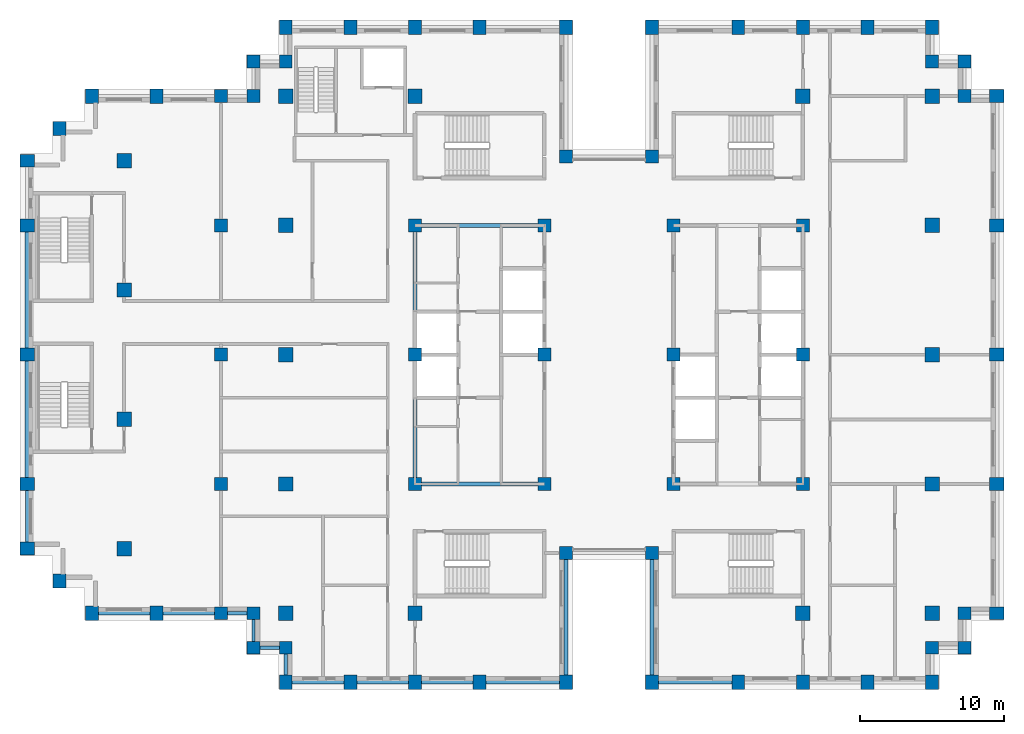
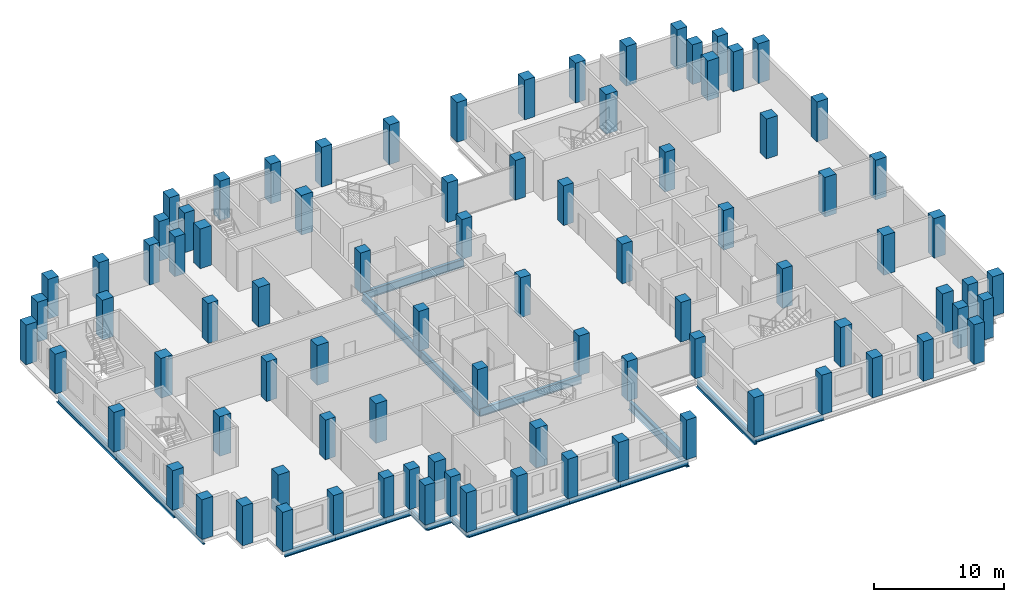
# One storey, part 1 of 15: 87 columns, 20 beams.
"""IFC4 building model written with IfcOpenShell, lengths in metres."""

from ifc_helpers import new_model, si_unit, direction, frame, origin, origin_2d, place, context, subcontext, project, spatial, rectangle, i_section, extrude, material, material_profile, profile_set, type_object, element, save


model = new_model("IFC4")

# Units and contexts
model_context = context("Model", 3, precision=1e-05, world=origin(), true_north=direction((0.0, 1.0)))
body_context = subcontext(model_context, "Body", "Model", "MODEL_VIEW")
ifc_project = project(units=[si_unit("LENGTHUNIT", "METRE"), si_unit("AREAUNIT", "SQUARE_METRE"), si_unit("VOLUMEUNIT", "CUBIC_METRE"), si_unit("PLANEANGLEUNIT", "RADIAN"), si_unit("MASSUNIT", "GRAM", prefix="KILO")], contexts=[model_context])

# Site, building, storey
site_placement = place(None, origin())
site = spatial("IfcSite", under=ifc_project, at=site_placement, CompositionType="ELEMENT")
building_placement = place(site_placement, origin())
building = spatial("IfcBuilding", under=site, at=building_placement, Name="Corbelhall Arena Tower", CompositionType="ELEMENT")
storey_placement = place(building_placement, frame((0.0, 0.0, 212.0)))
storey = spatial("IfcBuildingStorey", under=building, at=storey_placement, Name="L44", CompositionType="ELEMENT", Elevation=212.0)

# Columns
ifc_material_1 = material(Name="Concrete C80/95", Category="concrete")
ifc_material_profile_1 = material_profile(ifc_material_1, rectangle(XDim=1.0, YDim=1.0, at=origin_2d()))
ifc_profile_set_1 = profile_set([ifc_material_profile_1], Name="Concrete C80/95")
column_type_1 = type_object("IfcColumnType", Name="ST-COL-RC 1000x1000", PredefinedType="COLUMN", material=ifc_profile_set_1)
for number, where, z_axis, x_axis, name in (
    (1, (-33.75, 4.5, 0.0), (0.0, 0.0, 1.0), (1.0, 0.0, 0.0), "Column FIC+0450"),
    (2, (-33.75, 13.5, 0.0), (0.0, 0.0, 1.0), (1.0, 0.0, 0.0), "Column FIC+1350"),
    (3, (-33.75, -4.5, 0.0), (0.0, 0.0, 1.0), (1.0, 0.0, 0.0), "Column FIC-0450"),
    (4, (-33.75, -13.5, 0.0), (0.0, 0.0, 1.0), (1.0, 0.0, 0.0), "Column FIC-1350"),
    (5, (13.5, 18.0, 0.0), (0.0, 0.0, 1.0), (1.0, 0.0, 0.0), "Column IE13+1800"),
    (6, (13.5, -18.0, 0.0), (0.0, 0.0, 1.0), (1.0, 0.0, 0.0), "Column IE13-1800"),
    (7, (22.5, 0.0, 0.0), (0.0, 0.0, 1.0), (1.0, 0.0, 0.0), "Column IE22+0000"),
    (8, (22.5, 9.0, 0.0), (0.0, 0.0, 1.0), (1.0, 0.0, 0.0), "Column IE22+0900"),
    (9, (22.5, 18.0, 0.0), (0.0, 0.0, 1.0), (1.0, 0.0, 0.0), "Column IE22+1800"),
    (10, (22.5, -9.0, 0.0), (0.0, 0.0, 1.0), (1.0, 0.0, 0.0), "Column IE22-0900"),
    (11, (22.5, -18.0, 0.0), (0.0, 0.0, 1.0), (1.0, 0.0, 0.0), "Column IE22-1800"),
    (12, (-13.5, 18.0, 0.0), (0.0, 0.0, 1.0), (1.0, 0.0, 0.0), "Column IW13+1800"),
    (13, (-13.5, -18.0, 0.0), (0.0, 0.0, 1.0), (1.0, 0.0, 0.0), "Column IW13-1800"),
    (14, (-22.5, 0.0, 0.0), (0.0, 0.0, 1.0), (1.0, 0.0, 0.0), "Column IW22+0000"),
    (15, (-22.5, 9.0, 0.0), (0.0, 0.0, 1.0), (1.0, 0.0, 0.0), "Column IW22+0900"),
    (16, (-22.5, 18.0, 0.0), (0.0, 0.0, 1.0), (1.0, 0.0, 0.0), "Column IW22+1800"),
    (17, (-22.5, -9.0, 0.0), (0.0, 0.0, 1.0), (1.0, 0.0, 0.0), "Column IW22-0900"),
    (18, (-22.5, -18.0, 0.0), (0.0, 0.0, 1.0), (1.0, 0.0, 0.0), "Column IW22-1800"),
):
    element("IfcColumn", number, at=place(storey_placement, frame(where, z_axis=z_axis, x_axis=x_axis)), inside=storey, type_object=column_type_1, Name=name, PredefinedType="COLUMN", context=body_context, shape_type="SweptSolid", body=[
        extrude(rectangle(XDim=1.0, YDim=1.0, at=origin_2d()), origin(), (0.0, 0.0, 1.0), 3.719970703125),
    ])
ifc_material_profile_2 = material_profile(ifc_material_1, rectangle(XDim=0.89990234375, YDim=1.0, at=origin_2d()))
ifc_profile_set_2 = profile_set([ifc_material_profile_2], Name="Concrete C80/95")
column_type_2 = type_object("IfcColumnType", Name="ST-COL-RC 900x1000", PredefinedType="COLUMN", material=ifc_profile_set_2)
for number, where, z_axis, x_axis, name in (
    (19, (-40.5, 0.0, 0.0), (0.0, 0.0, 1.0), (0.0, 1.0, 0.0), "Column FC+0000"),
    (20, (-40.5, 9.0, 0.0), (0.0, 0.0, 1.0), (0.0, 1.0, 0.0), "Column FC+0900"),
    (21, (-40.5, 13.5, 0.0), (0.0, 0.0, 1.0), (0.0, 1.0, 0.0), "Column FC+1350"),
    (22, (-40.5, -9.0, 0.0), (0.0, 0.0, 1.0), (0.0, 1.0, 0.0), "Column FC-0900"),
    (23, (-40.5, -13.5, 0.0), (0.0, 0.0, 1.0), (0.0, 1.0, 0.0), "Column FC-1350"),
    (24, (-38.25, 15.75, 0.0), (0.0, 0.0, 1.0), (1.0, 0.0, 0.0), "Column FCCN"),
    (25, (-38.25, -15.75, 0.0), (0.0, 0.0, 1.0), (1.0, 0.0, 0.0), "Column FCCS"),
    (26, (-31.5, 18.0, 0.0), (0.0, 0.0, 1.0), (1.0, 0.0, 0.0), "Column FCN3150"),
    (27, (-36.0, 18.0, 0.0), (0.0, 0.0, 1.0), (1.0, 0.0, 0.0), "Column FCN3600"),
    (28, (-31.5, -18.0, 0.0), (0.0, 0.0, 1.0), (1.0, 0.0, 0.0), "Column FCS3150"),
    (29, (-36.0, -18.0, 0.0), (0.0, 0.0, 1.0), (1.0, 0.0, 0.0), "Column FCS3600"),
    (30, (27.0, 0.0, 0.0), (0.0, 0.0, 1.0), (0.0, 1.0, 0.0), "Column PE+0000"),
    (31, (27.0, 9.0, 0.0), (0.0, 0.0, 1.0), (0.0, 1.0, 0.0), "Column PE+0900"),
    (32, (27.0, 18.0, 0.0), (0.0, 0.0, 1.0), (0.0, 1.0, 0.0), "Column PE+1800"),
    (33, (27.0, -9.0, 0.0), (0.0, 0.0, 1.0), (0.0, 1.0, 0.0), "Column PE-0900"),
    (34, (27.0, -18.0, 0.0), (0.0, 0.0, 1.0), (0.0, 1.0, 0.0), "Column PE-1800"),
    (35, (3.0, 22.800048828125, 0.0), (0.0, 0.0, 1.0), (1.0, 0.0, 0.0), "Column PNE0300"),
    (36, (9.0, 22.800048828125, 0.0), (0.0, 0.0, 1.0), (1.0, 0.0, 0.0), "Column PNE0900"),
    (37, (13.5, 22.800048828125, 0.0), (0.0, 0.0, 1.0), (1.0, 0.0, 0.0), "Column PNE1350"),
    (38, (18.0, 22.800048828125, 0.0), (0.0, 0.0, 1.0), (1.0, 0.0, 0.0), "Column PNE1800"),
    (39, (22.5, 22.800048828125, 0.0), (0.0, 0.0, 1.0), (1.0, 0.0, 0.0), "Column PNE2250"),
    (40, (-3.0, 22.800048828125, 0.0), (0.0, 0.0, 1.0), (1.0, 0.0, 0.0), "Column PNW0300"),
    (41, (-9.0, 22.800048828125, 0.0), (0.0, 0.0, 1.0), (1.0, 0.0, 0.0), "Column PNW0900"),
    (42, (-13.5, 22.800048828125, 0.0), (0.0, 0.0, 1.0), (1.0, 0.0, 0.0), "Column PNW1350"),
    (43, (-18.0, 22.800048828125, 0.0), (0.0, 0.0, 1.0), (1.0, 0.0, 0.0), "Column PNW1800"),
    (44, (-22.5, 22.800048828125, 0.0), (0.0, 0.0, 1.0), (1.0, 0.0, 0.0), "Column PNW2250"),
    (45, (3.0, -22.800048828125, 0.0), (0.0, 0.0, 1.0), (1.0, 0.0, 0.0), "Column PSE0300"),
    (46, (9.0, -22.800048828125, 0.0), (0.0, 0.0, 1.0), (1.0, 0.0, 0.0), "Column PSE0900"),
    (47, (13.5, -22.800048828125, 0.0), (0.0, 0.0, 1.0), (1.0, 0.0, 0.0), "Column PSE1350"),
    (48, (18.0, -22.800048828125, 0.0), (0.0, 0.0, 1.0), (1.0, 0.0, 0.0), "Column PSE1800"),
    (49, (22.5, -22.800048828125, 0.0), (0.0, 0.0, 1.0), (1.0, 0.0, 0.0), "Column PSE2250"),
    (50, (-3.0, -22.800048828125, 0.0), (0.0, 0.0, 1.0), (1.0, 0.0, 0.0), "Column PSW0300"),
    (51, (-9.0, -22.800048828125, 0.0), (0.0, 0.0, 1.0), (1.0, 0.0, 0.0), "Column PSW0900"),
    (52, (-13.5, -22.800048828125, 0.0), (0.0, 0.0, 1.0), (1.0, 0.0, 0.0), "Column PSW1350"),
    (53, (-18.0, -22.800048828125, 0.0), (0.0, 0.0, 1.0), (1.0, 0.0, 0.0), "Column PSW1800"),
    (54, (-22.5, -22.800048828125, 0.0), (0.0, 0.0, 1.0), (1.0, 0.0, 0.0), "Column PSW2250"),
):
    element("IfcColumn", number, at=place(storey_placement, frame(where, z_axis=z_axis, x_axis=x_axis)), inside=storey, type_object=column_type_2, Name=name, PredefinedType="COLUMN", context=body_context, shape_type="SweptSolid", body=[
        extrude(rectangle(XDim=0.89990234375, YDim=1.0, at=origin_2d()), origin(), (0.0, 0.0, 1.0), 3.719970703125),
    ])
ifc_material_profile_3 = material_profile(ifc_material_1, rectangle(XDim=0.89990234375, YDim=0.89990234375, at=origin_2d()))
ifc_profile_set_3 = profile_set([ifc_material_profile_3], Name="Concrete C80/95")
column_type_3 = type_object("IfcColumnType", Name="ST-COL-RC 900x900", PredefinedType="COLUMN", material=ifc_profile_set_3)
for number, where, z_axis, x_axis, name in (
    (55, (4.5, 0.0, 0.0), (0.0, 0.0, 1.0), (1.0, 0.0, 0.0), "Column KE+0450+0000"),
    (56, (4.5, 9.0, 0.0), (0.0, 0.0, 1.0), (1.0, 0.0, 0.0), "Column KE+0450+0900"),
    (57, (4.5, -9.0, 0.0), (0.0, 0.0, 1.0), (1.0, 0.0, 0.0), "Column KE+0450-0900"),
    (58, (13.5, 0.0, 0.0), (0.0, 0.0, 1.0), (1.0, 0.0, 0.0), "Column KE+1350+0000"),
    (59, (13.5, 9.0, 0.0), (0.0, 0.0, 1.0), (1.0, 0.0, 0.0), "Column KE+1350+0900"),
    (60, (13.5, -9.0, 0.0), (0.0, 0.0, 1.0), (1.0, 0.0, 0.0), "Column KE+1350-0900"),
    (61, (-4.5, 0.0, 0.0), (0.0, 0.0, 1.0), (1.0, 0.0, 0.0), "Column KW-0450+0000"),
    (62, (-4.5, 9.0, 0.0), (0.0, 0.0, 1.0), (1.0, 0.0, 0.0), "Column KW-0450+0900"),
    (63, (-4.5, -9.0, 0.0), (0.0, 0.0, 1.0), (1.0, 0.0, 0.0), "Column KW-0450-0900"),
    (64, (-13.5, 0.0, 0.0), (0.0, 0.0, 1.0), (1.0, 0.0, 0.0), "Column KW-1350+0000"),
    (65, (-13.5, 9.0, 0.0), (0.0, 0.0, 1.0), (1.0, 0.0, 0.0), "Column KW-1350+0900"),
    (66, (-13.5, -9.0, 0.0), (0.0, 0.0, 1.0), (1.0, 0.0, 0.0), "Column KW-1350-0900"),
    (67, (-27.0, 0.0, 0.0), (0.0, 0.0, 1.0), (1.0, 0.0, 0.0), "Column PW+0000"),
    (68, (-27.0, 9.0, 0.0), (0.0, 0.0, 1.0), (1.0, 0.0, 0.0), "Column PW+0900"),
    (69, (-27.0, 18.0, 0.0), (0.0, 0.0, 1.0), (1.0, 0.0, 0.0), "Column PW+1800"),
    (70, (-27.0, -9.0, 0.0), (0.0, 0.0, 1.0), (1.0, 0.0, 0.0), "Column PW-0900"),
    (71, (-27.0, -18.0, 0.0), (0.0, 0.0, 1.0), (1.0, 0.0, 0.0), "Column PW-1800"),
    (72, (3.0, 13.800048828125, 0.0), (0.0, 0.0, 1.0), (1.0, 0.0, 0.0), "Column SLNE2"),
    (73, (-3.0, 13.800048828125, 0.0), (0.0, 0.0, 1.0), (1.0, 0.0, 0.0), "Column SLNW2"),
    (74, (3.0, -13.800048828125, 0.0), (0.0, 0.0, 1.0), (1.0, 0.0, 0.0), "Column SLSE2"),
    (75, (-3.0, -13.800048828125, 0.0), (0.0, 0.0, 1.0), (1.0, 0.0, 0.0), "Column SLSW2"),
    (76, (22.5, 20.39990234375, 0.0), (0.0, 0.0, 1.0), (1.0, 0.0, 0.0), "Column XNE1"),
    (77, (24.75, 20.39990234375, 0.0), (0.0, 0.0, 1.0), (1.0, 0.0, 0.0), "Column XNE2"),
    (78, (24.75, 18.0, 0.0), (0.0, 0.0, 1.0), (1.0, 0.0, 0.0), "Column XNE3"),
    (79, (-22.5, 20.39990234375, 0.0), (0.0, 0.0, 1.0), (1.0, 0.0, 0.0), "Column XNW1"),
    (80, (-24.75, 20.39990234375, 0.0), (0.0, 0.0, 1.0), (1.0, 0.0, 0.0), "Column XNW2"),
    (81, (-24.75, 18.0, 0.0), (0.0, 0.0, 1.0), (1.0, 0.0, 0.0), "Column XNW3"),
    (82, (22.5, -20.39990234375, 0.0), (0.0, 0.0, 1.0), (1.0, 0.0, 0.0), "Column XSE1"),
    (83, (24.75, -20.39990234375, 0.0), (0.0, 0.0, 1.0), (1.0, 0.0, 0.0), "Column XSE2"),
    (84, (24.75, -18.0, 0.0), (0.0, 0.0, 1.0), (1.0, 0.0, 0.0), "Column XSE3"),
    (85, (-22.5, -20.39990234375, 0.0), (0.0, 0.0, 1.0), (1.0, 0.0, 0.0), "Column XSW1"),
    (86, (-24.75, -20.39990234375, 0.0), (0.0, 0.0, 1.0), (1.0, 0.0, 0.0), "Column XSW2"),
    (87, (-24.75, -18.0, 0.0), (0.0, 0.0, 1.0), (1.0, 0.0, 0.0), "Column XSW3"),
):
    element("IfcColumn", number, at=place(storey_placement, frame(where, z_axis=z_axis, x_axis=x_axis)), inside=storey, type_object=column_type_3, Name=name, PredefinedType="COLUMN", context=body_context, shape_type="SweptSolid", body=[
        extrude(rectangle(XDim=0.89990234375, YDim=0.89990234375, at=origin_2d()), origin(), (0.0, 0.0, 1.0), 3.719970703125),
    ])

# Beams
ifc_material_2 = material(Name="Steel ASTM A992 Gr50", Category="steel")
ifc_material_profile_4 = material_profile(ifc_material_2, i_section(OverallWidth=0.2666015625, OverallDepth=0.761962890625, WebThickness=0.014404296875, FlangeThickness=0.021484375, at=origin_2d()))
ifc_profile_set_4 = profile_set([ifc_material_profile_4], Name="Steel ASTM A992 Gr50")
beam_type_1 = type_object("IfcBeamType", Name="ST-BEAM-W30x116", PredefinedType="BEAM", material=ifc_profile_set_4)
for number, where, z_axis, x_axis, name in (
    (88, (-13.5, -9.0, -0.660888671875), (0.0, 1.0, 0.0), (-1.0, 0.0, 0.0), "Beam CEW 1"),
    (89, (-13.5, 0.0, -0.660888671875), (0.0, 1.0, 0.0), (-1.0, 0.0, 0.0), "Beam CEW 2"),
    (90, (-13.5, -9.0, -0.660888671875), (1.0, 0.0, 0.0), (0.0, 1.0, 0.0), "Beam CEW 5"),
    (91, (-13.5, 9.0, -0.660888671875), (1.0, 0.0, 0.0), (0.0, 1.0, 0.0), "Beam CEW 6"),
):
    element("IfcBeam", number, at=place(storey_placement, frame(where, z_axis=z_axis, x_axis=x_axis)), inside=storey, type_object=beam_type_1, Name=name, PredefinedType="BEAM", context=body_context, shape_type="SweptSolid", body=[
        extrude(i_section(OverallWidth=0.2666015625, OverallDepth=0.761962890625, WebThickness=0.014404296875, FlangeThickness=0.021484375, at=origin_2d()), origin(), (0.0, 0.0, 1.0), 9.0),
    ])
ifc_material_profile_5 = material_profile(ifc_material_2, i_section(OverallWidth=0.228271484375, OverallDepth=0.607177734375, WebThickness=0.01123046875, FlangeThickness=0.017333984375, at=origin_2d()))
ifc_profile_set_5 = profile_set([ifc_material_profile_5], Name="Steel ASTM A992 Gr50")
beam_type_2 = type_object("IfcBeamType", Name="ST-SPANDREL-W24x76", PredefinedType="SPANDREL", material=ifc_profile_set_5)
for number, where, z_axis, x_axis, name in (
    (92, (-40.5, -13.5, -0.58349609375), (0.0, 1.0, 0.0), (-1.0, 0.0, 0.0), "Beam SP 4"),
    (93, (-31.5, -18.0, -0.58349609375), (-1.0, 0.0, 0.0), (0.0, -1.0, 0.0), "Beam SP 7"),
):
    element("IfcBeam", number, at=place(storey_placement, frame(where, z_axis=z_axis, x_axis=x_axis)), inside=storey, type_object=beam_type_2, Name=name, PredefinedType="SPANDREL", context=body_context, shape_type="SweptSolid", body=[
        extrude(i_section(OverallWidth=0.228271484375, OverallDepth=0.607177734375, WebThickness=0.01123046875, FlangeThickness=0.017333984375, at=origin_2d()), origin(), (0.0, 0.0, 1.0), 4.5),
    ])
for number, where, z_axis, x_axis, name in (
    (94, (9.0, -22.800048828125, -0.58349609375), (-1.0, 0.0, 0.0), (0.0, -1.0, 0.0), "Beam SP 24"),
    (95, (-3.0, -22.800048828125, -0.58349609375), (-1.0, 0.0, 0.0), (0.0, -1.0, 0.0), "Beam SP 28"),
):
    element("IfcBeam", number, at=place(storey_placement, frame(where, z_axis=z_axis, x_axis=x_axis)), inside=storey, type_object=beam_type_2, Name=name, PredefinedType="SPANDREL", context=body_context, shape_type="SweptSolid", body=[
        extrude(i_section(OverallWidth=0.228271484375, OverallDepth=0.607177734375, WebThickness=0.01123046875, FlangeThickness=0.017333984375, at=origin_2d()), origin(), (0.0, 0.0, 1.0), 6.0),
    ])
for number, where, z_axis, x_axis, name in (
    (96, (-9.0, -22.800048828125, -0.58349609375), (-1.0, 0.0, 0.0), (0.0, -1.0, 0.0), "Beam SP 29"),
    (97, (-13.5, -22.800048828125, -0.58349609375), (-1.0, 0.0, 0.0), (0.0, -1.0, 0.0), "Beam SP 30"),
    (98, (-18.0, -22.800048828125, -0.58349609375), (-1.0, 0.0, 0.0), (0.0, -1.0, 0.0), "Beam SP 31"),
):
    element("IfcBeam", number, at=place(storey_placement, frame(where, z_axis=z_axis, x_axis=x_axis)), inside=storey, type_object=beam_type_2, Name=name, PredefinedType="SPANDREL", context=body_context, shape_type="SweptSolid", body=[
        extrude(i_section(OverallWidth=0.228271484375, OverallDepth=0.607177734375, WebThickness=0.01123046875, FlangeThickness=0.017333984375, at=origin_2d()), origin(), (0.0, 0.0, 1.0), 4.5),
    ])
beam_1_placement = place(storey_placement, frame((-22.5, -22.800048828125, -0.58349609375), z_axis=(0.0, 1.0, 0.0), x_axis=(-1.0, 0.0, 0.0)))
element("IfcBeam", 99, at=beam_1_placement, inside=storey, type_object=beam_type_2, Name="Beam SP 32", PredefinedType="SPANDREL", context=body_context, shape_type="SweptSolid", body=[
    extrude(i_section(OverallWidth=0.228271484375, OverallDepth=0.607177734375, WebThickness=0.01123046875, FlangeThickness=0.017333984375, at=origin_2d()), origin(), (0.0, 0.0, 1.0), 2.400146484375),
])
beam_2_placement = place(storey_placement, frame((-27.0, -18.0, -0.58349609375), z_axis=(-1.0, 0.0, 0.0), x_axis=(0.0, -1.0, 0.0)))
element("IfcBeam", 100, at=beam_2_placement, inside=storey, type_object=beam_type_2, Name="Beam SP 34", PredefinedType="SPANDREL", context=body_context, shape_type="SweptSolid", body=[
    extrude(i_section(OverallWidth=0.228271484375, OverallDepth=0.607177734375, WebThickness=0.01123046875, FlangeThickness=0.017333984375, at=origin_2d()), origin(), (0.0, 0.0, 1.0), 4.5),
])
beam_3_placement = place(storey_placement, frame((-22.5, -20.39990234375, -0.58349609375), z_axis=(-1.0, 0.0, 0.0), x_axis=(0.0, -1.0, 0.0)))
element("IfcBeam", 101, at=beam_3_placement, inside=storey, type_object=beam_type_2, Name="Beam SP 48", PredefinedType="SPANDREL", context=body_context, shape_type="SweptSolid", body=[
    extrude(i_section(OverallWidth=0.228271484375, OverallDepth=0.607177734375, WebThickness=0.01123046875, FlangeThickness=0.017333984375, at=origin_2d()), origin(), (0.0, 0.0, 1.0), 2.25),
])
beam_4_placement = place(storey_placement, frame((-24.75, -20.39990234375, -0.58349609375), z_axis=(0.0, 1.0, 0.0), x_axis=(-1.0, 0.0, 0.0)))
element("IfcBeam", 102, at=beam_4_placement, inside=storey, type_object=beam_type_2, Name="Beam SP 49", PredefinedType="SPANDREL", context=body_context, shape_type="SweptSolid", body=[
    extrude(i_section(OverallWidth=0.228271484375, OverallDepth=0.607177734375, WebThickness=0.01123046875, FlangeThickness=0.017333984375, at=origin_2d()), origin(), (0.0, 0.0, 1.0), 2.39990234375),
])
beam_5_placement = place(storey_placement, frame((-24.75, -18.0, -0.58349609375), z_axis=(-1.0, 0.0, 0.0), x_axis=(0.0, -1.0, 0.0)))
element("IfcBeam", 103, at=beam_5_placement, inside=storey, type_object=beam_type_2, Name="Beam SP 50", PredefinedType="SPANDREL", context=body_context, shape_type="SweptSolid", body=[
    extrude(i_section(OverallWidth=0.228271484375, OverallDepth=0.607177734375, WebThickness=0.01123046875, FlangeThickness=0.017333984375, at=origin_2d()), origin(), (0.0, 0.0, 1.0), 2.25),
])
ifc_material_profile_6 = material_profile(ifc_material_2, i_section(OverallWidth=0.2919921875, OverallDepth=0.845703125, WebThickness=0.015380859375, FlangeThickness=0.0244140625, at=origin_2d()))
ifc_profile_set_6 = profile_set([ifc_material_profile_6], Name="Steel ASTM A992 Gr50")
beam_type_3 = type_object("IfcBeamType", Name="ST-SPANDREL-W33x141", PredefinedType="SPANDREL", material=ifc_profile_set_6)
for number, where, z_axis, x_axis, name in (
    (104, (-40.5, 0.0, -0.702880859375), (0.0, 1.0, 0.0), (-1.0, 0.0, 0.0), "Beam SP 1"),
    (105, (-40.5, -9.0, -0.702880859375), (0.0, 1.0, 0.0), (-1.0, 0.0, 0.0), "Beam SP 3"),
    (106, (3.0, -22.800048828125, -0.702880859375), (0.0, 1.0, 0.0), (-1.0, 0.0, 0.0), "Beam SP 23"),
    (107, (-3.0, -13.800048828125, -0.702880859375), (0.0, -1.0, 0.0), (1.0, 0.0, 0.0), "Beam SP 38"),
):
    element("IfcBeam", number, at=place(storey_placement, frame(where, z_axis=z_axis, x_axis=x_axis)), inside=storey, type_object=beam_type_3, Name=name, PredefinedType="SPANDREL", context=body_context, shape_type="SweptSolid", body=[
        extrude(i_section(OverallWidth=0.2919921875, OverallDepth=0.845703125, WebThickness=0.015380859375, FlangeThickness=0.0244140625, at=origin_2d()), origin(), (0.0, 0.0, 1.0), 9.0),
    ])

save(model, "model.ifc")
